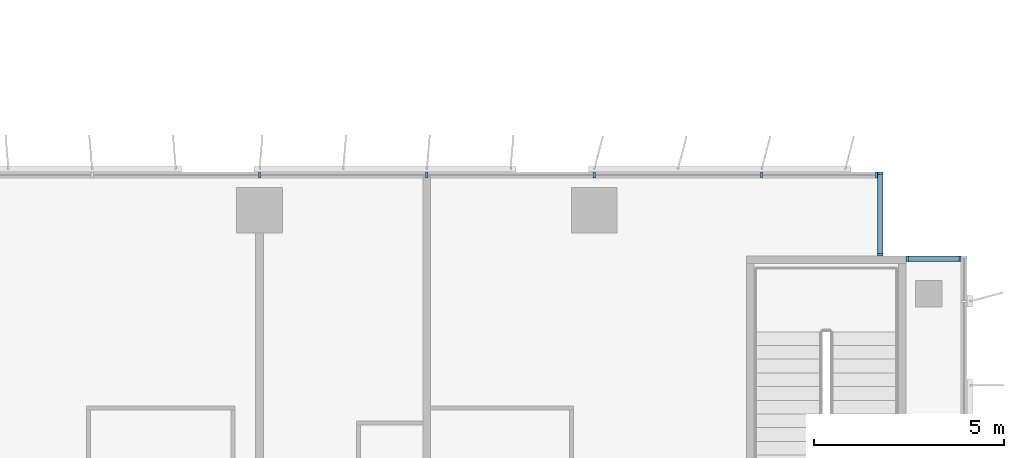
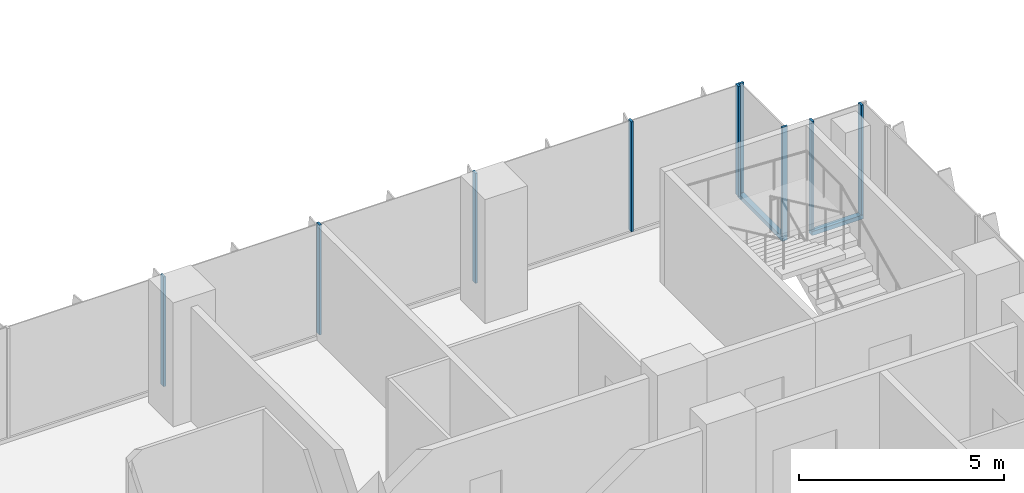
# One storey, part 4 of 22: 11 members, 3 elements without a shape of their own.
"""IFC4 building model written with IfcOpenShell, lengths in metres."""

from ifc_helpers import new_model, si_unit, direction, frame, origin, origin_2d, place, context, subcontext, project, spatial, rectangle, extrude, source, transform, mapped, material, material_profile, profile_set, type_object, element, aggregate, save


model = new_model("IFC4")

# Units and contexts
model_context = context("Model", 3, precision=1e-05, world=origin(), true_north=direction((0.0, 1.0)))
body_context = subcontext(model_context, "Body", "Model", "MODEL_VIEW")
ifc_project = project(units=[si_unit("LENGTHUNIT", "METRE"), si_unit("AREAUNIT", "SQUARE_METRE"), si_unit("VOLUMEUNIT", "CUBIC_METRE"), si_unit("PLANEANGLEUNIT", "RADIAN"), si_unit("MASSUNIT", "GRAM", prefix="KILO")], contexts=[model_context])

# Site, building, storey
site_placement = place(None, origin())
site = spatial("IfcSite", under=ifc_project, at=site_placement, CompositionType="ELEMENT")
building_placement = place(site_placement, origin())
building = spatial("IfcBuilding", under=site, at=building_placement, Name="Kemantara Hotel Tower", CompositionType="ELEMENT")
storey_placement = place(building_placement, frame((0.0, 0.0, 94.5)))
storey = spatial("IfcBuildingStorey", under=building, at=storey_placement, Name="L22", CompositionType="ELEMENT", Elevation=94.5)

# Curtain wall, member
ifc_material_1 = material(Name="Low-E tinted double insulated glass 36 mm", Category="glass")
curtain_wall_type = type_object("IfcCurtainWallType", Name="TOWER CURTAIN WALL, FRONT FACES", PredefinedType="USERDEFINED", material=ifc_material_1)
curtain_wall_1_placement = place(storey_placement, origin())
curtain_wall_1 = element("IfcCurtainWall", 1, at=curtain_wall_1_placement, inside=storey, type_object=curtain_wall_type, Name="CW4 L22 T2-R11-1", ObjectType="TOWER CURTAIN WALL, FRONT FACES", PredefinedType="USERDEFINED")
ifc_material_2 = material(Name="Aluminium 6063-T6 bronze anodised", Category="aluminium")
ifc_material_profile_1 = material_profile(ifc_material_2, rectangle(XDim=0.14990234375, YDim=0.1201171875, at=origin_2d()), Name="TOWER CURTAIN WALL, FRONT FACES TRANSOM")
ifc_profile_set_1 = profile_set([ifc_material_profile_1], Name="Aluminium 6063-T6 bronze anodised")
member_type_1 = type_object("IfcMemberType", Name="TOWER CURTAIN WALL, FRONT FACES TRANSOM", PredefinedType="USERDEFINED", material=ifc_profile_set_1)
member_1_placement = place(storey_placement, frame((63.449951171875, 19.72509765625, 0.06005859375), z_axis=(-1.0, 0.0, 0.0), x_axis=(0.0, -1.0, 0.0)))
member_1 = element("IfcMember", 2, at=member_1_placement, type_object=member_type_1, Name="CW4 sill transom T2-R11-1", ObjectType="TRANSOM", PredefinedType="USERDEFINED", context=body_context, shape_type="SweptSolid", body=[
    extrude(rectangle(XDim=0.14990234375, YDim=0.1201171875, at=origin_2d()), origin(), (0.0, 0.0, 1.0), 1.449951171875),
])

curtain_wall_2_placement = place(storey_placement, origin())
curtain_wall_2 = element("IfcCurtainWall", 3, at=curtain_wall_2_placement, inside=storey, type_object=curtain_wall_type, Name="CW4 L22 T2-R12-1", ObjectType="TOWER CURTAIN WALL, FRONT FACES", PredefinedType="USERDEFINED")
member_2_placement = place(storey_placement, frame((61.324951171875, 19.800048828125, 0.06005859375), z_axis=(0.0, 1.0, 0.0), x_axis=(-1.0, 0.0, 0.0)))
member_2 = element("IfcMember", 4, at=member_2_placement, type_object=member_type_1, Name="CW4 sill transom T2-R12-1", ObjectType="TRANSOM", PredefinedType="USERDEFINED", context=body_context, shape_type="SweptSolid", body=[
    extrude(rectangle(XDim=0.14990234375, YDim=0.1201171875, at=origin_2d()), origin(), (0.0, 0.0, 1.0), 2.199951171875),
])

# Curtain wall, members
curtain_wall_3_placement = place(storey_placement, origin())
curtain_wall_3 = element("IfcCurtainWall", 5, at=curtain_wall_3_placement, inside=storey, type_object=curtain_wall_type, Name="CW4 L22 T2-R13-1", ObjectType="TOWER CURTAIN WALL, FRONT FACES", PredefinedType="USERDEFINED")
ifc_material_profile_2 = material_profile(ifc_material_2, rectangle(XDim=0.14990234375, YDim=0.06005859375, at=origin_2d()), Name="TOWER CURTAIN WALL, FRONT FACES MULLION")
ifc_profile_set_2 = profile_set([ifc_material_profile_2], Name="Aluminium 6063-T6 bronze anodised")
member_type_2 = type_object("IfcMemberType", Name="TOWER CURTAIN WALL, FRONT FACES MULLION", PredefinedType="MULLION", material=ifc_profile_set_2)
shared_shape = source(origin(), body_context, "Body", "SweptSolid", [
    extrude(rectangle(XDim=0.14990234375, YDim=0.06005859375, at=origin_2d()), origin(), (0.0, 0.0, 1.0), 3.27978515625),
])
member_3_placement = place(storey_placement, frame((61.219970703125, 21.925048828125, 0.1201171875), z_axis=(0.0, 0.0, 1.0), x_axis=(0.0, -1.0, 0.0)))
member_3 = element("IfcMember", 6, at=member_3_placement, type_object=member_type_2, Name="CW4 mullion T2-R13-1.1", PredefinedType="MULLION", context=body_context, shape_type="MappedRepresentation", body=[
    mapped(shared_shape, transform((0.0, 0.0, 0.0))),
])
member_4_placement = place(storey_placement, frame((58.199951171875, 21.925048828125, 0.1201171875), z_axis=(0.0, 0.0, 1.0), x_axis=(0.0, -1.0, 0.0)))
member_4 = element("IfcMember", 7, at=member_4_placement, type_object=member_type_2, Name="CW4 mullion T2-R13-1.2", PredefinedType="MULLION", context=body_context, shape_type="MappedRepresentation", body=[
    mapped(shared_shape, transform((0.0, 0.0, 0.0))),
])
member_5_placement = place(storey_placement, frame((53.800048828125, 21.925048828125, 0.1201171875), z_axis=(0.0, 0.0, 1.0), x_axis=(0.0, -1.0, 0.0)))
member_5 = element("IfcMember", 8, at=member_5_placement, type_object=member_type_2, Name="CW4 mullion T2-R13-1.3", PredefinedType="MULLION", context=body_context, shape_type="MappedRepresentation", body=[
    mapped(shared_shape, transform((0.0, 0.0, 0.0))),
])
member_6_placement = place(storey_placement, frame((49.39990234375, 21.925048828125, 0.1201171875), z_axis=(0.0, 0.0, 1.0), x_axis=(0.0, -1.0, 0.0)))
member_6 = element("IfcMember", 9, at=member_6_placement, type_object=member_type_2, Name="CW4 mullion T2-R13-1.4", PredefinedType="MULLION", context=body_context, shape_type="MappedRepresentation", body=[
    mapped(shared_shape, transform((0.0, 0.0, 0.0))),
])
member_7_placement = place(storey_placement, frame((45.0, 21.925048828125, 0.1201171875), z_axis=(0.0, 0.0, 1.0), x_axis=(0.0, -1.0, 0.0)))
member_7 = element("IfcMember", 10, at=member_7_placement, type_object=member_type_2, Name="CW4 mullion T2-R13-1.5", PredefinedType="MULLION", context=body_context, shape_type="MappedRepresentation", body=[
    mapped(shared_shape, transform((0.0, 0.0, 0.0))),
])
aggregate(curtain_wall_3, [member_3, member_4, member_5, member_6, member_7])

# Member
member_8_placement = place(storey_placement, frame((63.419921875, 19.72509765625, 0.1201171875), z_axis=(0.0, 0.0, 1.0), x_axis=(0.0, -1.0, 0.0)))
member_8 = element("IfcMember", 11, at=member_8_placement, type_object=member_type_2, Name="CW4 mullion T2-R11-1.1", PredefinedType="MULLION", context=body_context, shape_type="MappedRepresentation", body=[
    mapped(shared_shape, transform((0.0, 0.0, 0.0))),
])

member_9_placement = place(storey_placement, frame((62.030029296875, 19.72509765625, 0.1201171875), z_axis=(0.0, 0.0, 1.0), x_axis=(0.0, -1.0, 0.0)))
member_9 = element("IfcMember", 12, at=member_9_placement, type_object=member_type_2, Name="CW4 mullion T2-R11-1.2", PredefinedType="MULLION", context=body_context, shape_type="MappedRepresentation", body=[
    mapped(shared_shape, transform((0.0, 0.0, 0.0))),
])

aggregate(curtain_wall_1, [member_1, member_8, member_9])

member_10_placement = place(storey_placement, frame((61.324951171875, 19.830078125, 0.1201171875), z_axis=(0.0, 0.0, 1.0), x_axis=(-1.0, 0.0, 0.0)))
member_10 = element("IfcMember", 13, at=member_10_placement, type_object=member_type_2, Name="CW4 mullion T2-R12-1.1", PredefinedType="MULLION", context=body_context, shape_type="MappedRepresentation", body=[
    mapped(shared_shape, transform((0.0, 0.0, 0.0))),
])

member_11_placement = place(storey_placement, frame((61.324951171875, 21.969970703125, 0.1201171875), z_axis=(0.0, 0.0, 1.0), x_axis=(-1.0, 0.0, 0.0)))
member_11 = element("IfcMember", 14, at=member_11_placement, type_object=member_type_2, Name="CW4 mullion T2-R12-1.2", PredefinedType="MULLION", context=body_context, shape_type="MappedRepresentation", body=[
    mapped(shared_shape, transform((0.0, 0.0, 0.0))),
])

aggregate(curtain_wall_2, [member_2, member_10, member_11])

save(model, "model.ifc")
